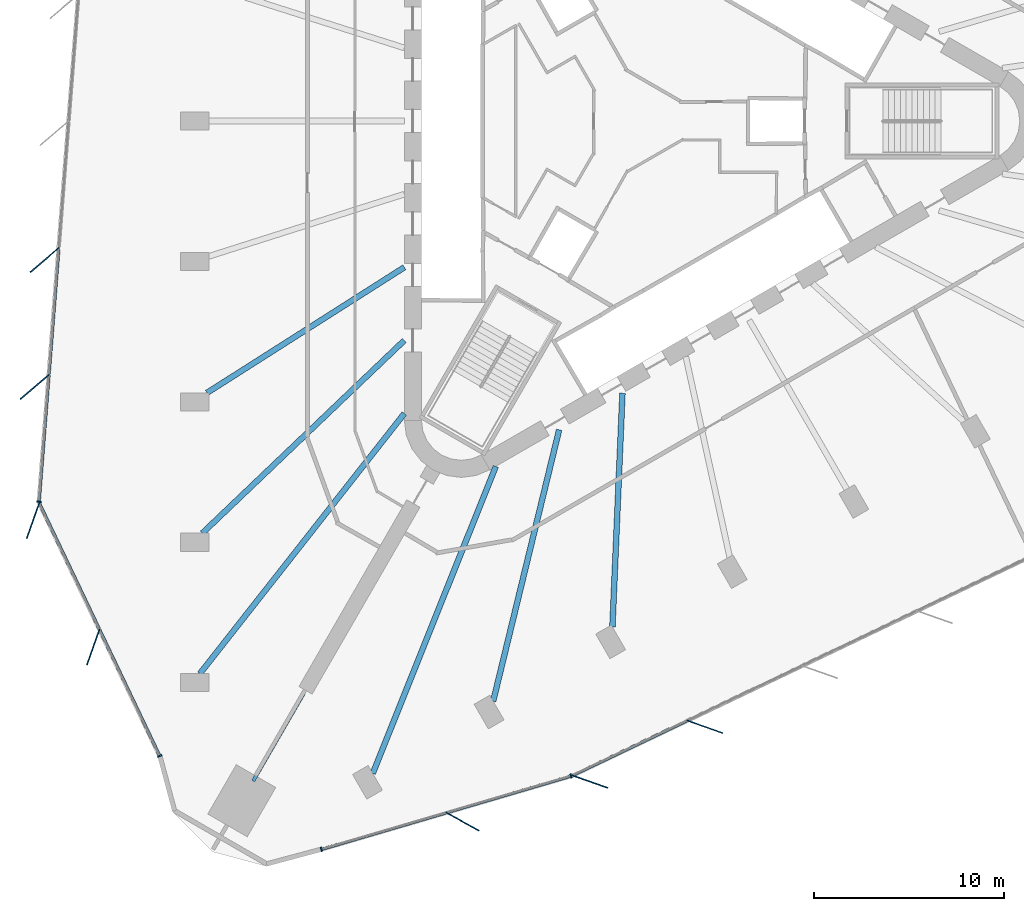
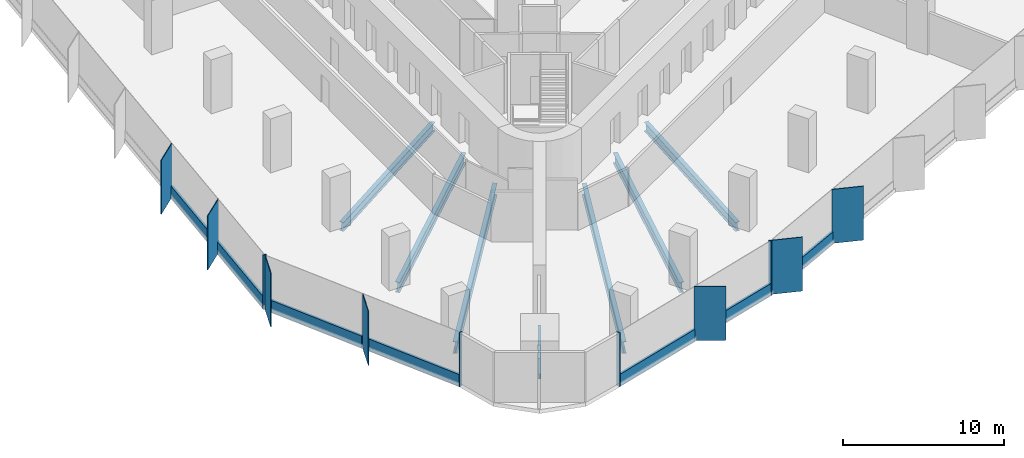
# One storey, part 2 of 14: 18 members, 7 beams, 4 elements without a shape of their own.
"""IFC4 building model written with IfcOpenShell, lengths in metres."""

from ifc_helpers import new_model, si_unit, direction, frame, origin, origin_2d, place, context, subcontext, project, spatial, rectangle, i_section, extrude, material, material_profile, profile_set, type_object, element, aggregate, save


model = new_model("IFC4")

# Units and contexts
model_context = context("Model", 3, precision=1e-05, world=origin(), true_north=direction((0.0, 1.0)))
body_context = subcontext(model_context, "Body", "Model", "MODEL_VIEW")
ifc_project = project(units=[si_unit("LENGTHUNIT", "METRE"), si_unit("AREAUNIT", "SQUARE_METRE"), si_unit("VOLUMEUNIT", "CUBIC_METRE"), si_unit("PLANEANGLEUNIT", "RADIAN"), si_unit("MASSUNIT", "GRAM", prefix="KILO")], contexts=[model_context])

# Site, building, storey
site_placement = place(None, origin())
site = spatial("IfcSite", under=ifc_project, at=site_placement, CompositionType="ELEMENT")
building_placement = place(site_placement, origin())
building = spatial("IfcBuilding", under=site, at=building_placement, Name="Tanit Gate Tower", CompositionType="ELEMENT")
storey_placement = place(building_placement, frame((0.0, 0.0, 82.39990234375)))
storey = spatial("IfcBuildingStorey", under=building, at=storey_placement, Name="L16", CompositionType="ELEMENT", Elevation=82.39990234375)

# Curtain wall, members
ifc_material_1 = material(Name="Aluminium bronze anodised and glass", Category="aluminium")
curtain_wall_type = type_object("IfcCurtainWallType", Name="Curtain wall typical low", PredefinedType="NOTDEFINED", material=ifc_material_1)
curtain_wall_1_placement = place(storey_placement, origin())
curtain_wall_1 = element("IfcCurtainWall", 1, at=curtain_wall_1_placement, inside=storey, type_object=curtain_wall_type, Name="Curtain wall L16 W2", PredefinedType="NOTDEFINED")
ifc_material_2 = material(Name="Aluminium bronze anodised", Category="aluminium")
ifc_material_profile_1 = material_profile(ifc_material_2, rectangle(XDim=2.0, YDim=0.055908203125, at=origin_2d()), Name="56x2000 bronze fin mullion")
ifc_profile_set_1 = profile_set([ifc_material_profile_1], Name="Aluminium bronze anodised")
member_type_1 = type_object("IfcMemberType", Name="FIN MULLION 56x2000 bronze", PredefinedType="MULLION", material=ifc_profile_set_1)
member_1_placement = place(storey_placement, frame((-31.034912109375, -7.313232421875, -0.2998046875), z_axis=(0.0, 0.0, 1.0), x_axis=(0.75991198916, 0.650025975428, 0.0)))
member_1 = element("IfcMember", 2, at=member_1_placement, type_object=member_type_1, Name="Fin mullion L16 W2.5", PredefinedType="MULLION", context=body_context, shape_type="SweptSolid", body=[
    extrude(rectangle(XDim=2.0, YDim=0.055908203125, at=origin_2d()), origin(), (0.0, 0.0, 1.0), 4.099853515625),
])
member_2_placement = place(storey_placement, frame((-31.5556640625, -13.9931640625, -0.2998046875), z_axis=(0.0, 0.0, 1.0), x_axis=(0.75991198916, 0.650025975428, 0.0)))
member_2 = element("IfcMember", 3, at=member_2_placement, type_object=member_type_1, Name="Fin mullion L16 W2.6", PredefinedType="MULLION", context=body_context, shape_type="SweptSolid", body=[
    extrude(rectangle(XDim=2.0, YDim=0.055908203125, at=origin_2d()), origin(), (0.0, 0.0, 1.0), 4.099853515625),
])

curtain_wall_2_placement = place(storey_placement, origin())
curtain_wall_2 = element("IfcCurtainWall", 4, at=curtain_wall_2_placement, inside=storey, type_object=curtain_wall_type, Name="Curtain wall L16 W3", PredefinedType="NOTDEFINED")
member_3_placement = place(storey_placement, frame((-31.646240234375, -21.034912109375, -0.2998046875), z_axis=(0.0, 0.0, 1.0), x_axis=(0.334360696003, 0.942445184065, 0.0)))
member_3 = element("IfcMember", 5, at=member_3_placement, type_object=member_type_1, Name="Fin mullion L16 W3.1", PredefinedType="MULLION", context=body_context, shape_type="SweptSolid", body=[
    extrude(rectangle(XDim=2.0, YDim=0.055908203125, at=origin_2d()), origin(), (0.0, 0.0, 1.0), 4.099853515625),
])
member_4_placement = place(storey_placement, frame((-28.47705078125, -27.689453125, -0.2998046875), z_axis=(0.0, 0.0, 1.0), x_axis=(0.334360696003, 0.942445184065, 0.0)))
member_4 = element("IfcMember", 6, at=member_4_placement, type_object=member_type_1, Name="Fin mullion L16 W3.2", PredefinedType="MULLION", context=body_context, shape_type="SweptSolid", body=[
    extrude(rectangle(XDim=2.0, YDim=0.055908203125, at=origin_2d()), origin(), (0.0, 0.0, 1.0), 4.099853515625),
])

# Curtain wall, member
curtain_wall_3_placement = place(storey_placement, origin())
curtain_wall_3 = element("IfcCurtainWall", 7, at=curtain_wall_3_placement, inside=storey, type_object=curtain_wall_type, Name="Curtain wall L16 SE1", PredefinedType="NOTDEFINED")
member_5_placement = place(storey_placement, frame((-9.0390625, -36.87841796875, -0.2998046875), z_axis=(0.0, 0.0, 1.0), x_axis=(-0.877748339381, 0.479121960166, 0.0)))
member_5 = element("IfcMember", 8, at=member_5_placement, type_object=member_type_1, Name="Fin mullion L16 SE1.2", PredefinedType="MULLION", context=body_context, shape_type="SweptSolid", body=[
    extrude(rectangle(XDim=2.0, YDim=0.055908203125, at=origin_2d()), origin(), (0.0, 0.0, 1.0), 4.099853515625),
])

# Curtain wall, members
curtain_wall_4_placement = place(storey_placement, origin())
curtain_wall_4 = element("IfcCurtainWall", 9, at=curtain_wall_4_placement, inside=storey, type_object=curtain_wall_type, Name="Curtain wall L16 SE2", PredefinedType="NOTDEFINED")
member_6_placement = place(storey_placement, frame((-2.330078125, -34.77685546875, -0.2998046875), z_axis=(0.0, 0.0, 1.0), x_axis=(-0.94289500242, 0.333090099539, 0.0)))
member_6 = element("IfcMember", 10, at=member_6_placement, type_object=member_type_1, Name="Fin mullion L16 SE2.1", PredefinedType="MULLION", context=body_context, shape_type="SweptSolid", body=[
    extrude(rectangle(XDim=2.0, YDim=0.055908203125, at=origin_2d()), origin(), (0.0, 0.0, 1.0), 4.099853515625),
])
member_7_placement = place(storey_placement, frame((3.71533203125, -31.8876953125, -0.2998046875), z_axis=(0.0, 0.0, 1.0), x_axis=(-0.94289500242, 0.333090099539, 0.0)))
member_7 = element("IfcMember", 11, at=member_7_placement, type_object=member_type_1, Name="Fin mullion L16 SE2.2", PredefinedType="MULLION", context=body_context, shape_type="SweptSolid", body=[
    extrude(rectangle(XDim=2.0, YDim=0.055908203125, at=origin_2d()), origin(), (0.0, 0.0, 1.0), 4.099853515625),
])

# Member
ifc_material_3 = material(Name="Aluminium bronze anodised", Category="aluminium")
ifc_material_profile_2 = material_profile(ifc_material_3, rectangle(XDim=0.239990234375, YDim=0.080078125, at=origin_2d()), Name="80x240 bronze mullion")
ifc_profile_set_2 = profile_set([ifc_material_profile_2], Name="Aluminium bronze anodised")
member_type_2 = type_object("IfcMemberType", Name="Mullion 80x240 typical low", PredefinedType="MULLION", material=ifc_profile_set_2)
member_8_placement = place(storey_placement, frame((-31.33349609375, -20.037841796875, -0.2998046875), z_axis=(0.0, 0.0, 1.0), x_axis=(0.996976695812, -0.077701145467, 0.0)))
member_8 = element("IfcMember", 12, at=member_8_placement, type_object=member_type_2, Name="Mullion L16 W2.7", PredefinedType="MULLION", context=body_context, shape_type="SweptSolid", body=[
    extrude(rectangle(XDim=0.239990234375, YDim=0.080078125, at=origin_2d()), origin(), (0.0, 0.0, 1.0), 4.099853515625),
])

member_9_placement = place(storey_placement, frame((-24.98095703125, -33.4228515625, -0.2998046875), z_axis=(0.0, 0.0, 1.0), x_axis=(0.902838096055, 0.429980665043, 0.0)))
member_9 = element("IfcMember", 13, at=member_9_placement, type_object=member_type_2, Name="Mullion L16 W3.3", PredefinedType="MULLION", context=body_context, shape_type="SweptSolid", body=[
    extrude(rectangle(XDim=0.239990234375, YDim=0.080078125, at=origin_2d()), origin(), (0.0, 0.0, 1.0), 4.099853515625),
])

member_10_placement = place(storey_placement, frame((-16.468017578125, -38.340576171875, -0.2998046875), z_axis=(0.0, 0.0, 1.0), x_axis=(-0.281871415903, 0.959452190001, 0.0)))
member_10 = element("IfcMember", 14, at=member_10_placement, type_object=member_type_2, Name="Mullion L16 SE1.1", PredefinedType="MULLION", context=body_context, shape_type="SweptSolid", body=[
    extrude(rectangle(XDim=0.239990234375, YDim=0.080078125, at=origin_2d()), origin(), (0.0, 0.0, 1.0), 4.099853515625),
])

member_11_placement = place(storey_placement, frame((-3.325927734375, -34.479736328125, -0.2998046875), z_axis=(0.0, 0.0, 1.0), x_axis=(-0.281871415903, 0.959452190001, 0.0)))
member_11 = element("IfcMember", 15, at=member_11_placement, type_object=member_type_2, Name="Mullion L16 SE1.3", PredefinedType="MULLION", context=body_context, shape_type="SweptSolid", body=[
    extrude(rectangle(XDim=0.239990234375, YDim=0.080078125, at=origin_2d()), origin(), (0.0, 0.0, 1.0), 4.099853515625),
])

# Beams
ifc_material_4 = material(Name="Steel S355", Category="steel")
ifc_material_profile_3 = material_profile(ifc_material_4, i_section(OverallWidth=0.300048828125, OverallDepth=0.68994140625, WebThickness=0.014404296875, FlangeThickness=0.027099609375, FilletRadius=0.027099609375, at=origin_2d()), Name="HEA 700")
ifc_profile_set_3 = profile_set([ifc_material_profile_3], Name="Steel S355")
beam_type_1 = type_object("IfcBeamType", Name="RADIAL GIRDER HEA 700 S355", PredefinedType="BEAM", material=ifc_profile_set_3)
for number, where, z_axis, x_axis, name in (
    (16, (-22.489013671875, -14.307861328125, -0.64501953125), (0.843716193989, 0.536789515546, 0.0), (-0.536789515546, 0.843716193989, 0.0), "RADIAL GIRDER"),
    (17, (-1.146484375, -26.6298828125, -0.64501953125), (0.043013806202, 0.999074477942, 0.0), (-0.999074477942, 0.043013806202, 0.0), "RADIAL GIRDER"),
):
    element("IfcBeam", number, at=place(storey_placement, frame(where, z_axis=z_axis, x_axis=x_axis)), inside=storey, type_object=beam_type_1, Name=name, PredefinedType="BEAM", context=body_context, shape_type="SweptSolid", body=[
        extrude(i_section(OverallWidth=0.300048828125, OverallDepth=0.68994140625, WebThickness=0.014404296875, FlangeThickness=0.027099609375, FilletRadius=0.027099609375, at=origin_2d()), origin(), (0.0, 0.0, 1.0), 12.31103515625),
    ])
ifc_material_5 = material(Name="Steel S355", Category="steel")
ifc_material_profile_4 = material_profile(ifc_material_5, i_section(OverallWidth=0.300048828125, OverallDepth=0.7900390625, WebThickness=0.014892578125, FlangeThickness=0.028076171875, FilletRadius=0.030029296875, at=origin_2d()), Name="HEA 800")
ifc_profile_set_4 = profile_set([ifc_material_profile_4], Name="Steel S355")
beam_type_2 = type_object("IfcBeamType", Name="RADIAL GIRDER HEA 800 S355", PredefinedType="BEAM", material=ifc_profile_set_4)
for number, where, z_axis, x_axis, name in (
    (18, (-22.738037109375, -21.69921875, -0.69482421875), (0.723444887899, 0.690382136337, 0.0), (-0.690382136337, 0.723444887899, 0.0), "RADIAL GIRDER"),
    (19, (-7.423095703125, -30.541259765625, -0.69482421875), (0.236169367987, 0.971711906701, 0.0), (-0.971711906701, 0.236169367987, 0.0), "RADIAL GIRDER"),
):
    element("IfcBeam", number, at=place(storey_placement, frame(where, z_axis=z_axis, x_axis=x_axis)), inside=storey, type_object=beam_type_2, Name=name, PredefinedType="BEAM", context=body_context, shape_type="SweptSolid", body=[
        extrude(i_section(OverallWidth=0.300048828125, OverallDepth=0.7900390625, WebThickness=0.014892578125, FlangeThickness=0.028076171875, FilletRadius=0.030029296875, at=origin_2d()), origin(), (0.0, 0.0, 1.0), 14.701904296875),
    ])
ifc_material_6 = material(Name="Steel S355", Category="steel")
ifc_material_profile_5 = material_profile(ifc_material_6, i_section(OverallWidth=0.300048828125, OverallDepth=0.889892578125, WebThickness=0.01611328125, FlangeThickness=0.030029296875, FilletRadius=0.030029296875, at=origin_2d()), Name="HEA 900")
ifc_profile_set_5 = profile_set([ifc_material_profile_5], Name="Steel S355")
beam_type_3 = type_object("IfcBeamType", Name="RADIAL GIRDER HEA 900 S355", PredefinedType="BEAM", material=ifc_profile_set_5)
for number, where, z_axis, x_axis, name in (
    (20, (-22.8623046875, -29.0908203125, -0.744873046875), (0.617904516847, 0.786253145024, 0.0), (-0.786253145024, 0.617904516847, 0.0), "RADIAL GIRDER"),
    (21, (-13.76220703125, -34.3447265625, -0.744873046875), (0.371958649454, 0.928249300078, 0.0), (-0.928249300078, 0.371958649454, 0.0), "RADIAL GIRDER"),
):
    element("IfcBeam", number, at=place(storey_placement, frame(where, z_axis=z_axis, x_axis=x_axis)), inside=storey, type_object=beam_type_3, Name=name, PredefinedType="BEAM", context=body_context, shape_type="SweptSolid", body=[
        extrude(i_section(OverallWidth=0.300048828125, OverallDepth=0.889892578125, WebThickness=0.01611328125, FlangeThickness=0.030029296875, FilletRadius=0.030029296875, at=origin_2d()), origin(), (0.0, 0.0, 1.0), 17.4140625),
    ])
ifc_material_7 = material(Name="Steel S355", Category="steel")
ifc_material_profile_6 = material_profile(ifc_material_7, i_section(OverallWidth=0.179931640625, OverallDepth=0.39990234375, WebThickness=0.008544921875, FlangeThickness=0.013427734375, FilletRadius=0.02099609375, at=origin_2d()), Name="IPE 400")
ifc_profile_set_6 = profile_set([ifc_material_profile_6], Name="Steel S355")
beam_type_4 = type_object("IfcBeamType", Name="RADIAL GIRDER IPE 400 S355", PredefinedType="BEAM", material=ifc_profile_set_6)
beam_placement = place(storey_placement, frame((-20.05810546875, -34.741455078125, -0.5), z_axis=(0.499991120112, 0.86603053053, 0.0), x_axis=(-0.86603053053, 0.499991120112, 0.0)))
element("IfcBeam", 22, at=beam_placement, inside=storey, type_object=beam_type_4, Name="RADIAL GIRDER", PredefinedType="BEAM", context=body_context, shape_type="SweptSolid", body=[
    extrude(i_section(OverallWidth=0.179931640625, OverallDepth=0.39990234375, WebThickness=0.008544921875, FlangeThickness=0.013427734375, FilletRadius=0.02099609375, at=origin_2d()), origin(), (0.0, 0.0, 1.0), 5.29638671875),
])

# Member
ifc_material_8 = material(Name="Aluminium bronze anodised", Category="aluminium")
ifc_material_profile_7 = material_profile(ifc_material_8, rectangle(XDim=0.159912109375, YDim=0.89990234375, at=origin_2d()), Name="160x900 bronze transom")
ifc_profile_set_7 = profile_set([ifc_material_profile_7], Name="Aluminium bronze anodised")
member_type_3 = type_object("IfcMemberType", Name="Transom 160x900 typical low", PredefinedType="USERDEFINED", material=ifc_profile_set_7)
member_12_placement = place(storey_placement, frame((-30.29541015625, -6.718017578125, 0.150146484375), z_axis=(-0.077703246028, -0.996976532099, 0.0), x_axis=(0.996976532099, -0.077703246028, 0.0)))
member_12 = element("IfcMember", 23, at=member_12_placement, type_object=member_type_3, Name="Transom L16 W2.5", ObjectType="TRANSOM", PredefinedType="USERDEFINED", context=body_context, shape_type="SweptSolid", body=[
    extrude(rectangle(XDim=0.159912109375, YDim=0.89990234375, at=origin_2d()), origin(), (0.0, 0.0, 1.0), 6.6201171875),
])

member_13_placement = place(storey_placement, frame((-30.81591796875, -13.397705078125, 0.150146484375), z_axis=(-0.077700389209, -0.996976754752, 0.0), x_axis=(0.996976754752, -0.077700389209, 0.0)))
member_13 = element("IfcMember", 24, at=member_13_placement, type_object=member_type_3, Name="Transom L16 W2.6", ObjectType="TRANSOM", PredefinedType="USERDEFINED", context=body_context, shape_type="SweptSolid", body=[
    extrude(rectangle(XDim=0.159912109375, YDim=0.89990234375, at=origin_2d()), origin(), (0.0, 0.0, 1.0), 6.620361328125),
])

aggregate(curtain_wall_1, [member_1, member_2, member_8, member_12, member_13])

member_14_placement = place(storey_placement, frame((-31.30224609375, -20.14990234375, 0.150146484375), z_axis=(0.429972575898, -0.902841948503, 0.0), x_axis=(0.902841948503, 0.429972575898, 0.0)))
member_14 = element("IfcMember", 25, at=member_14_placement, type_object=member_type_3, Name="Transom L16 W3.1", ObjectType="TRANSOM", PredefinedType="USERDEFINED", context=body_context, shape_type="SweptSolid", body=[
    extrude(rectangle(XDim=0.159912109375, YDim=0.89990234375, at=origin_2d()), origin(), (0.0, 0.0, 1.0), 7.29052734375),
])

member_15_placement = place(storey_placement, frame((-28.133056640625, -26.804443359375, 0.150146484375), z_axis=(0.429999871319, -0.90282894873, 0.0), x_axis=(0.90282894873, 0.429999871319, 0.0)))
member_15 = element("IfcMember", 26, at=member_15_placement, type_object=member_type_3, Name="Transom L16 W3.2", ObjectType="TRANSOM", PredefinedType="USERDEFINED", context=body_context, shape_type="SweptSolid", body=[
    extrude(rectangle(XDim=0.159912109375, YDim=0.89990234375, at=origin_2d()), origin(), (0.0, 0.0, 1.0), 7.290771484375),
])

aggregate(curtain_wall_2, [member_3, member_4, member_9, member_14, member_15])

member_16_placement = place(storey_placement, frame((-16.4296875, -38.329345703125, 0.150146484375), z_axis=(0.959451607143, 0.281873399865, 0.0), x_axis=(-0.281873399865, 0.959451607143, 0.0)))
member_16 = element("IfcMember", 27, at=member_16_placement, type_object=member_type_3, Name="Transom L16 SE1.1", ObjectType="TRANSOM", PredefinedType="USERDEFINED", context=body_context, shape_type="SweptSolid", body=[
    extrude(rectangle(XDim=0.159912109375, YDim=0.89990234375, at=origin_2d()), origin(), (0.0, 0.0, 1.0), 6.768798828125),
])

member_17_placement = place(storey_placement, frame((-9.858642578125, -36.39892578125, 0.150146484375), z_axis=(0.959448741277, 0.281883154627, 0.0), x_axis=(-0.281883154627, 0.959448741277, 0.0)))
member_17 = element("IfcMember", 28, at=member_17_placement, type_object=member_type_3, Name="Transom L16 SE1.2", ObjectType="TRANSOM", PredefinedType="USERDEFINED", context=body_context, shape_type="SweptSolid", body=[
    extrude(rectangle(XDim=0.159912109375, YDim=0.89990234375, at=origin_2d()), origin(), (0.0, 0.0, 1.0), 6.7685546875),
])

aggregate(curtain_wall_3, [member_10, member_5, member_11, member_16, member_17])

member_18_placement = place(storey_placement, frame((-3.215576171875, -34.433837890625, 0.150146484375), z_axis=(0.902265239929, 0.431181443033, 0.0), x_axis=(-0.431181443033, 0.902265239929, 0.0)))
member_18 = element("IfcMember", 29, at=member_18_placement, type_object=member_type_3, Name="Transom L16 SE2.1", ObjectType="TRANSOM", PredefinedType="USERDEFINED", context=body_context, shape_type="SweptSolid", body=[
    extrude(rectangle(XDim=0.159912109375, YDim=0.89990234375, at=origin_2d()), origin(), (0.0, 0.0, 1.0), 6.6201171875),
])

aggregate(curtain_wall_4, [member_6, member_7, member_18])

save(model, "model.ifc")
